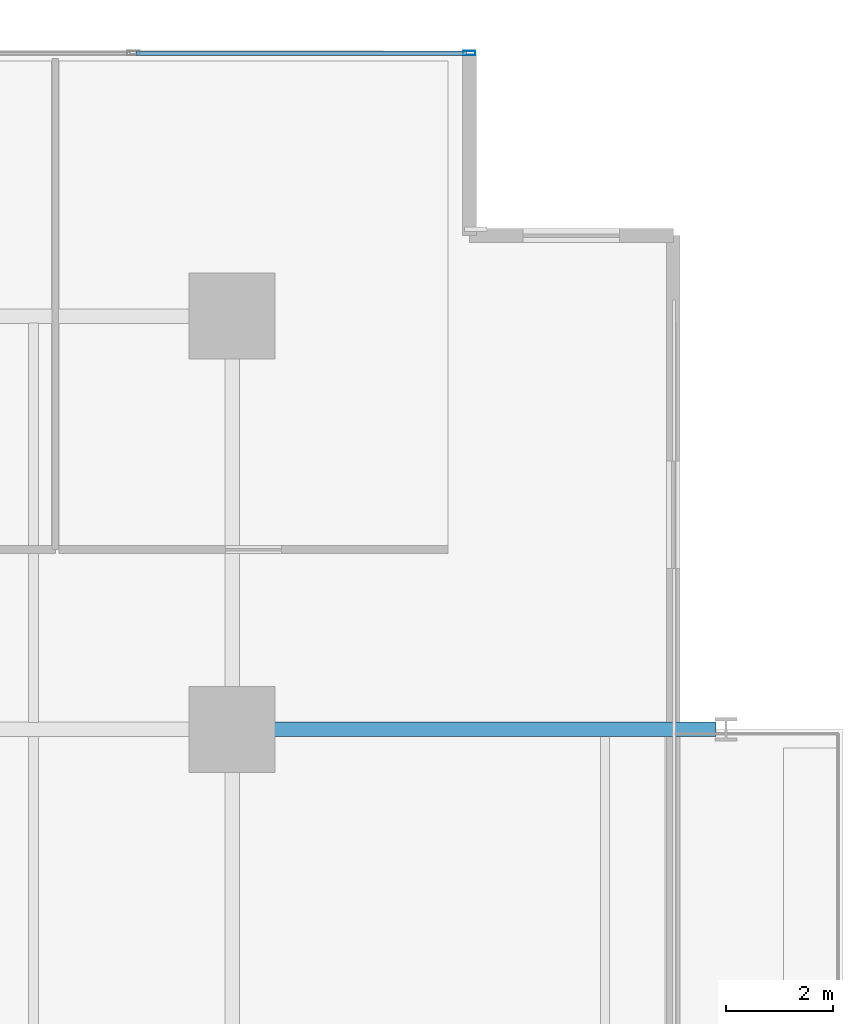
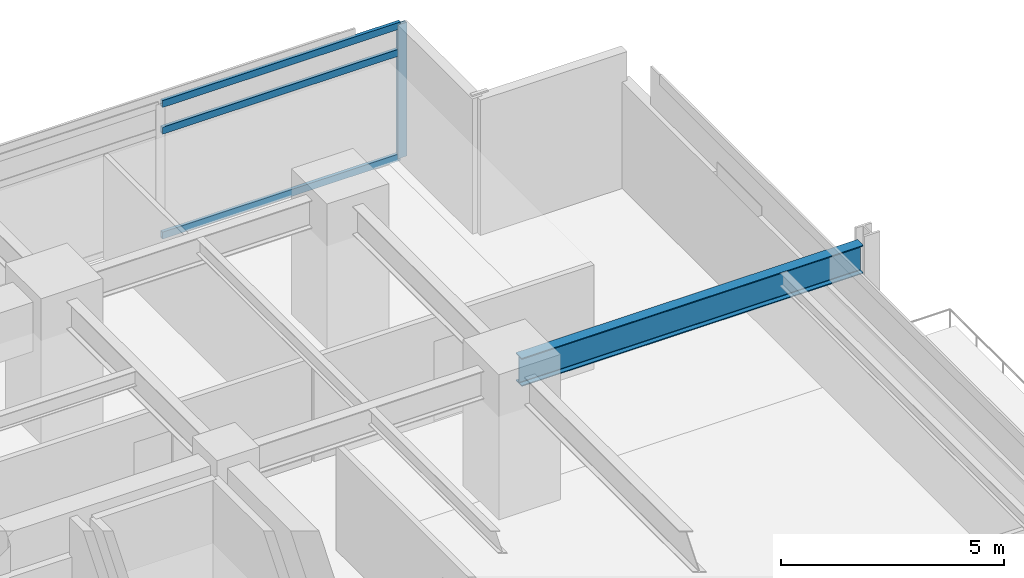
# One storey, part 11 of 22: 4 members, 1 beam, 1 element without a shape of its own.
"""IFC4 building model written with IfcOpenShell, lengths in metres."""

from ifc_helpers import new_model, si_unit, direction, frame, origin, origin_2d, place, context, subcontext, project, spatial, hollow_rectangle, i_section, extrude, material, material_profile, profile_set, type_object, element, aggregate, save


model = new_model("IFC4")

# Units and contexts
model_context = context("Model", 3, precision=1e-05, world=origin(), true_north=direction((0.0, 1.0)))
body_context = subcontext(model_context, "Body", "Model", "MODEL_VIEW")
ifc_project = project(units=[si_unit("LENGTHUNIT", "METRE"), si_unit("AREAUNIT", "SQUARE_METRE"), si_unit("VOLUMEUNIT", "CUBIC_METRE"), si_unit("PLANEANGLEUNIT", "RADIAN"), si_unit("MASSUNIT", "GRAM", prefix="KILO")], contexts=[model_context])

# Site, building, storey
site_placement = place(None, origin())
site = spatial("IfcSite", under=ifc_project, at=site_placement, CompositionType="ELEMENT")
building_placement = place(site_placement, origin())
building = spatial("IfcBuilding", under=site, at=building_placement, Name="Kovane Verandah Tower", CompositionType="ELEMENT")
storey_placement = place(building_placement, frame((0.0, 0.0, 180.39990234375)))
storey = spatial("IfcBuildingStorey", under=building, at=storey_placement, Name="L42", CompositionType="ELEMENT", Elevation=180.39990234375)

# Beam
ifc_material_1 = material(Name="Steel S355", Category="steel")
ifc_material_profile_1 = material_profile(ifc_material_1, i_section(OverallWidth=0.26806640625, OverallDepth=0.769775390625, WebThickness=0.015625, FlangeThickness=0.025390625, FilletRadius=0.0166015625, at=origin_2d()), Name="UB762x267x197")
ifc_profile_set_1 = profile_set([ifc_material_profile_1], Name="Steel S355")
beam_type = type_object("IfcBeamType", Name="BM-UB762x197", PredefinedType="BEAM", material=ifc_profile_set_1)
beam_placement = place(storey_placement, frame((58.580078125, 36.5, 3.315185546875), z_axis=(1.0, 0.0, 0.0), x_axis=(0.0, 1.0, 0.0)))
element("IfcBeam", 1, at=beam_placement, inside=storey, type_object=beam_type, Name="L42 Primary Tower Girder G-VE2", PredefinedType="BEAM", context=body_context, shape_type="SweptSolid", body=[
    extrude(i_section(OverallWidth=0.26806640625, OverallDepth=0.769775390625, WebThickness=0.015625, FlangeThickness=0.025390625, FilletRadius=0.0166015625, at=origin_2d()), origin(), (0.0, 0.0, 1.0), 8.83984375),
])

# Curtain wall, members
ifc_material_2 = material(Name="Champagne Anodised Aluminium Frame with Low-E Clear Laminated Glass", Category="aluminium")
curtain_wall_type = type_object("IfcCurtainWallType", Name="CW-SYS-03-MID", PredefinedType="NOTDEFINED", material=ifc_material_2)
curtain_wall_placement = place(storey_placement, origin())
curtain_wall = element("IfcCurtainWall", 2, at=curtain_wall_placement, inside=storey, type_object=curtain_wall_type, Name="L42 N Unitised Curtain Wall", PredefinedType="NOTDEFINED")
ifc_material_3 = material(Name="Champagne Anodised Aluminium 6063-T6", Category="aluminium")
ifc_material_profile_2 = material_profile(ifc_material_3, hollow_rectangle(XDim=0.0849609375, YDim=0.22998046875, WallThickness=0.00390625, at=origin_2d()), Name="AL85x230x4")
ifc_profile_set_2 = profile_set([ifc_material_profile_2], Name="Champagne Anodised Aluminium 6063-T6")
member_type_1 = type_object("IfcMemberType", Name="CW-MUL-85x230", PredefinedType="MULLION", material=ifc_profile_set_2)
member_1_placement = place(storey_placement, frame((62.820068359375, 49.10009765625, 0.02001953125), z_axis=(0.0, 0.0, 1.0), x_axis=(0.0, 1.0, 0.0)))
member_1 = element("IfcMember", 3, at=member_1_placement, type_object=member_type_1, Name="L42 N Unitised Curtain Wall Mullion 1", PredefinedType="MULLION", context=body_context, shape_type="SweptSolid", body=[
    extrude(hollow_rectangle(XDim=0.0849609375, YDim=0.22998046875, WallThickness=0.00390625, at=origin_2d()), origin(), (0.0, 0.0, 1.0), 3.66015625),
])
ifc_material_profile_3 = material_profile(ifc_material_3, hollow_rectangle(XDim=0.0849609375, YDim=0.18994140625, WallThickness=0.00390625, at=origin_2d()), Name="AL85x190x4")
ifc_profile_set_3 = profile_set([ifc_material_profile_3], Name="Champagne Anodised Aluminium 6063-T6")
member_type_2 = type_object("IfcMemberType", Name="CW-TRN-85x190", PredefinedType="USERDEFINED", material=ifc_profile_set_3)
member_2_placement = place(storey_placement, frame((62.77001953125, 49.10009765625, 0.050048828125), z_axis=(-1.0, 0.0, 0.0), x_axis=(0.0, -1.0, 0.0)))
member_2 = element("IfcMember", 4, at=member_2_placement, type_object=member_type_2, Name="L42 N Unitised Curtain Wall Transom TB Bay 1", ObjectType="TRANSOM", PredefinedType="USERDEFINED", context=body_context, shape_type="SweptSolid", body=[
    extrude(hollow_rectangle(XDim=0.0849609375, YDim=0.18994140625, WallThickness=0.00390625, at=origin_2d()), origin(), (0.0, 0.0, 1.0), 6.159912109375),
])
member_3_placement = place(storey_placement, frame((62.77001953125, 49.10009765625, 2.920166015625), z_axis=(-1.0, 0.0, 0.0), x_axis=(0.0, -1.0, 0.0)))
member_3 = element("IfcMember", 5, at=member_3_placement, type_object=member_type_2, Name="L42 N Unitised Curtain Wall Transom TM Bay 1", ObjectType="TRANSOM", PredefinedType="USERDEFINED", context=body_context, shape_type="SweptSolid", body=[
    extrude(hollow_rectangle(XDim=0.0849609375, YDim=0.18994140625, WallThickness=0.00390625, at=origin_2d()), origin(), (0.0, 0.0, 1.0), 6.159912109375),
])
member_4_placement = place(storey_placement, frame((62.77001953125, 49.10009765625, 3.650146484375), z_axis=(-1.0, 0.0, 0.0), x_axis=(0.0, -1.0, 0.0)))
member_4 = element("IfcMember", 6, at=member_4_placement, type_object=member_type_2, Name="L42 N Unitised Curtain Wall Transom TT Bay 1", ObjectType="TRANSOM", PredefinedType="USERDEFINED", context=body_context, shape_type="SweptSolid", body=[
    extrude(hollow_rectangle(XDim=0.0849609375, YDim=0.18994140625, WallThickness=0.00390625, at=origin_2d()), origin(), (0.0, 0.0, 1.0), 6.159912109375),
])
aggregate(curtain_wall, [member_1, member_2, member_3, member_4])

save(model, "model.ifc")
